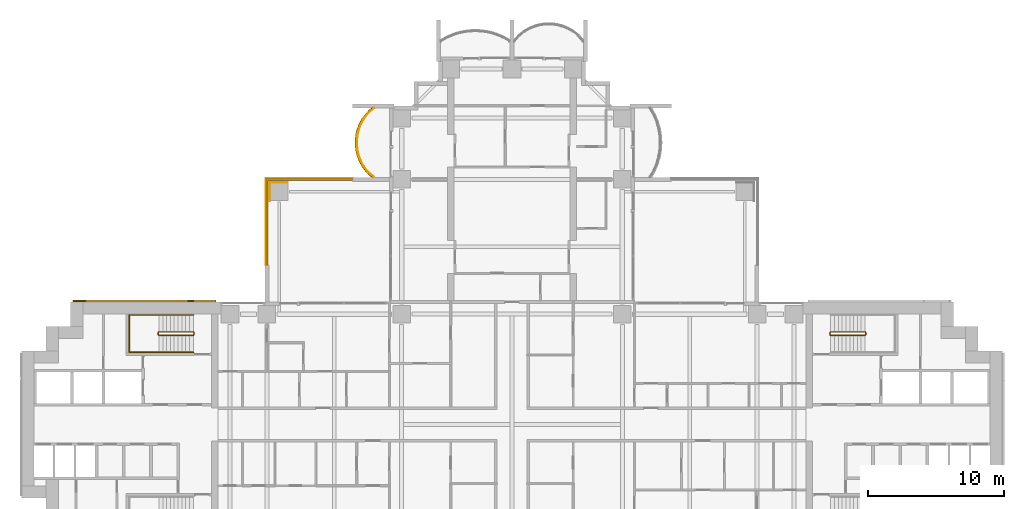
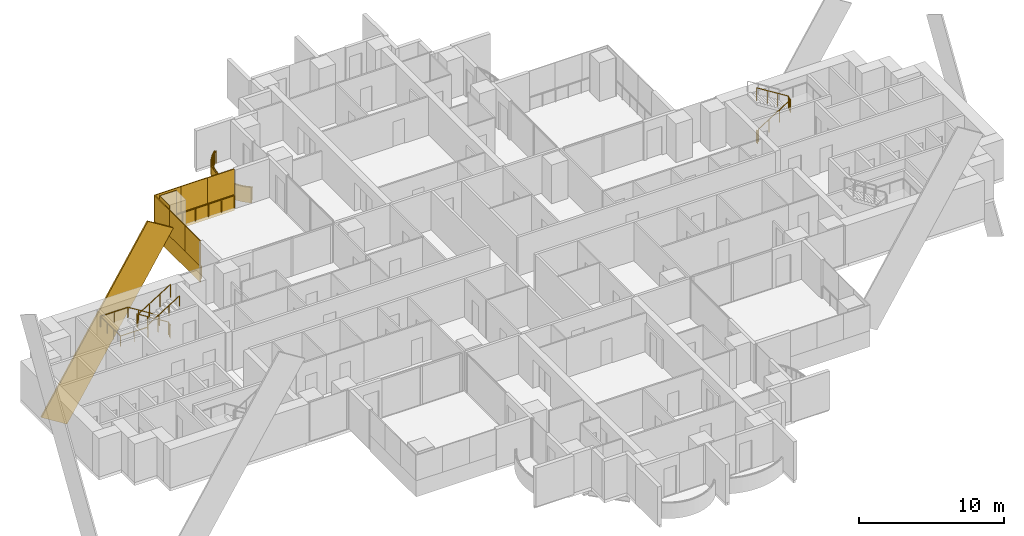
# One storey, part 21 of 23: 11 coverings, 5 railings.
"""IFC4 building model written with IfcOpenShell, lengths in metres."""

from ifc_helpers import new_model, si_unit, direction, frame, origin, origin_2d, place, context, subcontext, project, spatial, polyline, rectangle, outline, extrude, material, layer, layer_set, material_profile, profile_set, type_object, element, save


model = new_model("IFC4")

# Units and contexts
model_context = context("Model", 3, precision=1e-05, world=origin(), true_north=direction((0.0, 1.0)))
body_context = subcontext(model_context, "Body", "Model", "MODEL_VIEW")
ifc_project = project(units=[si_unit("LENGTHUNIT", "METRE"), si_unit("AREAUNIT", "SQUARE_METRE"), si_unit("VOLUMEUNIT", "CUBIC_METRE"), si_unit("PLANEANGLEUNIT", "RADIAN"), si_unit("MASSUNIT", "GRAM", prefix="KILO")], contexts=[model_context])

# Site, building, storey
site_placement = place(None, origin())
site = spatial("IfcSite", under=ifc_project, at=site_placement, CompositionType="ELEMENT")
building_placement = place(site_placement, origin())
building = spatial("IfcBuilding", under=site, at=building_placement, Name="Perihelion Cross Residences", CompositionType="ELEMENT")
storey_placement = place(building_placement, frame((0.0, 0.0, 36.5)))
storey = spatial("IfcBuildingStorey", under=building, at=storey_placement, Name="L05", CompositionType="ELEMENT", Elevation=36.5)

# Covering
ifc_material_1 = material(Name="Bronze anodised aluminium", Category="aluminium")
ifc_layer_1 = layer(ifc_material_1, 0.070068359375)
ifc_layer_set_1 = layer_set([ifc_layer_1], Name="Balcony fascia 1300")
covering_type_1 = type_object("IfcCoveringType", Name="Balcony fascia 1300", PredefinedType="CLADDING", material=ifc_layer_set_1)
covering_1_placement = place(storey_placement, frame((0.0, 0.0, -0.199951171875)))
element("IfcCovering", 1, at=covering_1_placement, inside=storey, type_object=covering_type_1, Name="Fascia BF1 L05 north side west bay 1", PredefinedType="CLADDING", context=body_context, shape_type="SweptSolid", body=[
    extrude(outline(polyline([(-10.674072265625, 22.90478515625), (-10.982666015625, 22.50390625), (-11.20654296875, 22.10302734375), (-11.364013671875, 21.7021484375), (-11.464599609375, 21.30126953125), (-11.513916015625, 20.900390625), (-11.513916015625, 20.49951171875), (-11.464599609375, 20.0986328125), (-11.364013671875, 19.69775390625), (-11.20654296875, 19.296875), (-10.982666015625, 18.89599609375), (-10.674072265625, 18.4951171875), (-10.302734375, 18.14990234375), (-10.199951171875, 18.14990234375), (-10.622314453125, 18.542236328125), (-10.924072265625, 18.9345703125), (-11.143310546875, 19.326904296875), (-11.29736328125, 19.71923828125), (-11.39599609375, 20.111572265625), (-11.444091796875, 20.50390625), (-11.444091796875, 20.896240234375), (-11.39599609375, 21.28857421875), (-11.29736328125, 21.6806640625), (-11.143310546875, 22.072998046875), (-10.924072265625, 22.46533203125), (-10.622314453125, 22.857666015625), (-10.199951171875, 23.25), (-10.302734375, 23.25), (-10.674072265625, 22.90478515625)])), origin(), (0.0, 0.0, 1.0), 1.300048828125),
])

# Railings
ifc_material_2 = material(Name="Bronze anodised aluminium", Category="aluminium")
railing_type_1 = type_object("IfcRailingType", Name="Balcony guard 1100", PredefinedType="GUARDRAIL", material=ifc_material_2)
railing_1_placement = place(storey_placement, frame((-10.139892578125, 23.22509765625, 0.0)))
element("IfcRailing", 2, at=railing_1_placement, inside=storey, type_object=railing_type_1, Name="Guard GU1 L05 north side west bay 1 balcony", PredefinedType="GUARDRAIL", context=body_context, shape_type="SweptSolid", body=[
    extrude(rectangle(XDim=0.048095703125, YDim=0.048095703125, at=origin_2d()), frame((0.0, 0.0, 1.076171875), z_axis=(-0.754464673757, -0.656340655493, 0.0), x_axis=(0.656340655493, -0.754464673757, 0.0)), (0.0, 0.0, 1.0), 0.559814453125),
    extrude(rectangle(XDim=0.048095703125, YDim=0.048095703125, at=origin_2d()), frame((-0.42236328125, -0.367431640625, 1.076171875), z_axis=(-0.60966308455, -0.792660660899, 0.0), x_axis=(0.792660660899, -0.60966308455, 0.0)), (0.0, 0.0, 1.0), 0.494873046875),
    extrude(rectangle(XDim=0.048095703125, YDim=0.048095703125, at=origin_2d()), frame((-0.72412109375, -0.759765625, 1.076171875), z_axis=(-0.487809182674, -0.872950285698, 0.0), x_axis=(0.872950285698, -0.487809182674, 0.0)), (0.0, 0.0, 1.0), 0.449462890625),
    extrude(rectangle(XDim=0.048095703125, YDim=0.048095703125, at=origin_2d()), frame((-0.943359375, -1.152099609375, 1.076171875), z_axis=(-0.365491079925, -0.930814842219, 0.0), x_axis=(0.930814842219, -0.365491079925, 0.0)), (0.0, 0.0, 1.0), 0.42138671875),
    extrude(rectangle(XDim=0.048095703125, YDim=0.048095703125, at=origin_2d()), frame((-1.097412109375, -1.54443359375, 1.076171875), z_axis=(-0.243956193074, -0.969786252666, 0.0), x_axis=(0.969786252666, -0.243956193074, 0.0)), (0.0, 0.0, 1.0), 0.404296875),
    extrude(rectangle(XDim=0.048095703125, YDim=0.048095703125, at=origin_2d()), frame((-1.196044921875, -1.9365234375, 1.076171875), z_axis=(-0.121677797999, -0.992569651699, 0.0), x_axis=(0.992569651699, -0.121677797999, 0.0)), (0.0, 0.0, 1.0), 0.395263671875),
    extrude(rectangle(XDim=0.048095703125, YDim=0.048095703125, at=origin_2d()), frame((-1.244140625, -2.328857421875, 1.076171875), z_axis=(0.0, -1.0, 0.0), x_axis=(1.0, 0.0, 0.0)), (0.0, 0.0, 1.0), 0.392333984375),
    extrude(rectangle(XDim=0.048095703125, YDim=0.048095703125, at=origin_2d()), frame((-1.244140625, -2.72119140625, 1.076171875), z_axis=(0.121677797999, -0.992569651699, 0.0), x_axis=(0.992569651699, 0.121677797999, 0.0)), (0.0, 0.0, 1.0), 0.395263671875),
    extrude(rectangle(XDim=0.048095703125, YDim=0.048095703125, at=origin_2d()), frame((-1.196044921875, -3.113525390625, 1.076171875), z_axis=(0.243813411509, -0.969822159145, 0.0), x_axis=(0.969822159145, 0.243813411509, 0.0)), (0.0, 0.0, 1.0), 0.404541015625),
    extrude(rectangle(XDim=0.048095703125, YDim=0.048095703125, at=origin_2d()), frame((-1.097412109375, -3.505859375, 1.076171875), z_axis=(0.365491079925, -0.930814842219, 0.0), x_axis=(0.930814842219, 0.365491079925, 0.0)), (0.0, 0.0, 1.0), 0.42138671875),
    extrude(rectangle(XDim=0.048095703125, YDim=0.048095703125, at=origin_2d()), frame((-0.943359375, -3.898193359375, 1.076171875), z_axis=(0.487809182674, -0.872950285698, 0.0), x_axis=(0.872950285698, 0.487809182674, 0.0)), (0.0, 0.0, 1.0), 0.449462890625),
    extrude(rectangle(XDim=0.048095703125, YDim=0.048095703125, at=origin_2d()), frame((-0.72412109375, -4.29052734375, 1.076171875), z_axis=(0.60966308455, -0.792660660899, 0.0), x_axis=(0.792660660899, 0.60966308455, 0.0)), (0.0, 0.0, 1.0), 0.494873046875),
    extrude(rectangle(XDim=0.048095703125, YDim=0.048095703125, at=origin_2d()), frame((-0.42236328125, -4.682861328125, 1.076171875), z_axis=(0.754680648599, -0.656092309534, 0.0), x_axis=(0.656092309534, 0.754680648599, 0.0)), (0.0, 0.0, 1.0), 0.5595703125),
    extrude(rectangle(XDim=0.0419921875, YDim=0.0419921875, at=origin_2d()), origin(), (0.0, 0.0, 1.0), 1.052001953125),
    extrude(rectangle(XDim=0.0419921875, YDim=0.0419921875, at=origin_2d()), frame((-0.42236328125, -0.367431640625, 0.0)), (0.0, 0.0, 1.0), 1.052001953125),
    extrude(rectangle(XDim=0.0419921875, YDim=0.0419921875, at=origin_2d()), frame((-0.72412109375, -0.759765625, 0.0)), (0.0, 0.0, 1.0), 1.052001953125),
    extrude(rectangle(XDim=0.0419921875, YDim=0.0419921875, at=origin_2d()), frame((-0.943359375, -1.152099609375, 0.0)), (0.0, 0.0, 1.0), 1.052001953125),
    extrude(rectangle(XDim=0.0419921875, YDim=0.0419921875, at=origin_2d()), frame((-1.097412109375, -1.54443359375, 0.0)), (0.0, 0.0, 1.0), 1.052001953125),
    extrude(rectangle(XDim=0.0419921875, YDim=0.0419921875, at=origin_2d()), frame((-1.196044921875, -1.9365234375, 0.0)), (0.0, 0.0, 1.0), 1.052001953125),
    extrude(rectangle(XDim=0.0419921875, YDim=0.0419921875, at=origin_2d()), frame((-1.244140625, -2.328857421875, 0.0)), (0.0, 0.0, 1.0), 1.052001953125),
    extrude(rectangle(XDim=0.0419921875, YDim=0.0419921875, at=origin_2d()), frame((-1.244140625, -2.72119140625, 0.0)), (0.0, 0.0, 1.0), 1.052001953125),
    extrude(rectangle(XDim=0.0419921875, YDim=0.0419921875, at=origin_2d()), frame((-1.196044921875, -3.113525390625, 0.0)), (0.0, 0.0, 1.0), 1.052001953125),
    extrude(rectangle(XDim=0.0419921875, YDim=0.0419921875, at=origin_2d()), frame((-1.097412109375, -3.505859375, 0.0)), (0.0, 0.0, 1.0), 1.052001953125),
    extrude(rectangle(XDim=0.0419921875, YDim=0.0419921875, at=origin_2d()), frame((-0.943359375, -3.898193359375, 0.0)), (0.0, 0.0, 1.0), 1.052001953125),
    extrude(rectangle(XDim=0.0419921875, YDim=0.0419921875, at=origin_2d()), frame((-0.72412109375, -4.29052734375, 0.0)), (0.0, 0.0, 1.0), 1.052001953125),
    extrude(rectangle(XDim=0.0419921875, YDim=0.0419921875, at=origin_2d()), frame((-0.42236328125, -4.682861328125, 0.0)), (0.0, 0.0, 1.0), 1.052001953125),
    extrude(rectangle(XDim=0.0419921875, YDim=0.0419921875, at=origin_2d()), frame((0.0, -5.050048828125, 0.0)), (0.0, 0.0, 1.0), 1.052001953125),
])
railing_2_placement = place(storey_placement, frame((-17.93994140625, 11.739990234375, 0.0)))
element("IfcRailing", 3, at=railing_2_placement, inside=storey, type_object=railing_type_1, Name="Guard GU1 L05 pocket north-west 1", PredefinedType="GUARDRAIL", context=body_context, shape_type="SweptSolid", body=[
    extrude(rectangle(XDim=0.048095703125, YDim=0.048095703125, at=origin_2d()), frame((0.0, 0.0, 1.076171875), z_axis=(0.0, 1.0, 0.0), x_axis=(-1.0, 0.0, 0.0)), (0.0, 0.0, 1.0), 6.199951171875),
    extrude(rectangle(XDim=0.048095703125, YDim=0.048095703125, at=origin_2d()), frame((0.0, 6.199951171875, 1.076171875), z_axis=(1.0, 0.0, 0.0), x_axis=(0.0, 1.0, 0.0)), (0.0, 0.0, 1.0), 6.199951171875),
    extrude(rectangle(XDim=0.0419921875, YDim=0.0419921875, at=origin_2d()), origin(), (0.0, 0.0, 1.0), 1.052001953125),
    extrude(rectangle(XDim=0.0419921875, YDim=0.0419921875, at=origin_2d()), frame((0.0, 1.033203125, 0.0)), (0.0, 0.0, 1.0), 1.052001953125),
    extrude(rectangle(XDim=0.0419921875, YDim=0.0419921875, at=origin_2d()), frame((0.0, 2.066650390625, 0.0)), (0.0, 0.0, 1.0), 1.052001953125),
    extrude(rectangle(XDim=0.0419921875, YDim=0.0419921875, at=origin_2d()), frame((0.0, 3.10009765625, 0.0)), (0.0, 0.0, 1.0), 1.052001953125),
    extrude(rectangle(XDim=0.0419921875, YDim=0.0419921875, at=origin_2d()), frame((0.0, 4.13330078125, 0.0)), (0.0, 0.0, 1.0), 1.052001953125),
    extrude(rectangle(XDim=0.0419921875, YDim=0.0419921875, at=origin_2d()), frame((0.0, 5.16650390625, 0.0)), (0.0, 0.0, 1.0), 1.052001953125),
    extrude(rectangle(XDim=0.0419921875, YDim=0.0419921875, at=origin_2d()), frame((0.0, 6.199951171875, 0.0)), (0.0, 0.0, 1.0), 1.052001953125),
    extrude(rectangle(XDim=0.0419921875, YDim=0.0419921875, at=origin_2d()), frame((1.033203125, 6.199951171875, 0.0)), (0.0, 0.0, 1.0), 1.052001953125),
    extrude(rectangle(XDim=0.0419921875, YDim=0.0419921875, at=origin_2d()), frame((2.066650390625, 6.199951171875, 0.0)), (0.0, 0.0, 1.0), 1.052001953125),
    extrude(rectangle(XDim=0.0419921875, YDim=0.0419921875, at=origin_2d()), frame((3.10009765625, 6.199951171875, 0.0)), (0.0, 0.0, 1.0), 1.052001953125),
    extrude(rectangle(XDim=0.0419921875, YDim=0.0419921875, at=origin_2d()), frame((4.13330078125, 6.199951171875, 0.0)), (0.0, 0.0, 1.0), 1.052001953125),
    extrude(rectangle(XDim=0.0419921875, YDim=0.0419921875, at=origin_2d()), frame((5.16650390625, 6.199951171875, 0.0)), (0.0, 0.0, 1.0), 1.052001953125),
    extrude(rectangle(XDim=0.0419921875, YDim=0.0419921875, at=origin_2d()), frame((6.199951171875, 6.199951171875, 0.0)), (0.0, 0.0, 1.0), 1.052001953125),
])

# Coverings
ifc_material_3 = material(Name="Bronze anodised aluminium", Category="aluminium")
ifc_material_profile = material_profile(ifc_material_3, rectangle(XDim=0.125, YDim=2.39990234375, at=origin_2d()), Name="Bronze cladding band 2400")
ifc_profile_set = profile_set([ifc_material_profile], Name="Bronze anodised aluminium")
covering_type_2 = type_object("IfcCoveringType", Name="Bronze cladding band 2400", PredefinedType="CLADDING", material=ifc_profile_set)
covering_2_placement = place(storey_placement, frame((-31.232421875, 9.0625, -5.656005859375), z_axis=(0.529931619435, 0.0, 0.848040375644), x_axis=(0.0, 1.0, 0.0)))
element("IfcCovering", 4, at=covering_2_placement, inside=storey, type_object=covering_type_2, Name="Core cladding band, west core", PredefinedType="CLADDING", context=body_context, shape_type="SweptSolid", body=[
    extrude(rectangle(XDim=0.125, YDim=2.39990234375, at=origin_2d()), origin(), (0.0, 0.0, 1.0), 15.973388671875),
])
ifc_material_4 = material(Name="Bronze anodised aluminium", Category="aluminium")
ifc_layer_2 = layer(ifc_material_4, 0.0400390625)
ifc_layer_set_2 = layer_set([ifc_layer_2], Name="Bronze column casing 40")
covering_type_3 = type_object("IfcCoveringType", Name="Bronze column casing 40", PredefinedType="CLADDING", material=ifc_layer_set_2)
covering_3_placement = place(storey_placement, frame((-17.77001953125, 17.10009765625, -0.25), z_axis=(0.0, 0.0, 1.0), x_axis=(1.0, 0.0, 0.0)))
element("IfcCovering", 5, at=covering_3_placement, inside=storey, type_object=covering_type_3, Name="Cladding CC1 L05 casing east-west no. 2", PredefinedType="CLADDING", context=body_context, shape_type="SweptSolid", body=[
    extrude(rectangle(XDim=0.0400390625, YDim=1.3798828125, at=origin_2d()), origin(), (0.0, 0.0, 1.0), 3.5),
])
covering_4_placement = place(storey_placement, frame((-17.10009765625, 17.77001953125, -0.25), z_axis=(0.0, 0.0, 1.0), x_axis=(1.0, 0.0, 0.0)))
element("IfcCovering", 6, at=covering_4_placement, inside=storey, type_object=covering_type_3, Name="Cladding CC1 L05 casing north-south no. 2", PredefinedType="CLADDING", context=body_context, shape_type="SweptSolid", body=[
    extrude(rectangle(XDim=1.300048828125, YDim=0.0400390625, at=origin_2d()), origin(), (0.0, 0.0, 1.0), 3.5),
])
ifc_material_5 = material(Name="Bronze anodised aluminium", Category="aluminium")
ifc_layer_3 = layer(ifc_material_5, 0.070068359375)
ifc_layer_set_3 = layer_set([ifc_layer_3], Name="Pocket fascia 1350")
covering_type_4 = type_object("IfcCoveringType", Name="Pocket fascia 1350", PredefinedType="CLADDING", material=ifc_layer_set_3)
covering_5_placement = place(storey_placement, frame((0.0, 0.0, -0.25)))
element("IfcCovering", 7, at=covering_5_placement, inside=storey, type_object=covering_type_4, Name="Fascia BF2 L05 pocket north-west 3", PredefinedType="CLADDING", context=body_context, shape_type="SweptSolid", body=[
    extrude(outline(polyline([(-18.070068359375, 18.070068359375), (-18.070068359375, 11.699951171875), (-18.0, 11.699951171875), (-18.0, 18.0), (-11.699951171875, 18.0), (-11.699951171875, 18.070068359375), (-18.070068359375, 18.070068359375)])), origin(), (0.0, 0.0, 1.0), 1.35009765625),
])
ifc_material_6 = material(Name="Bronze perforated aluminium", Category="aluminium")
ifc_layer_4 = layer(ifc_material_6, 0.070068359375)
ifc_layer_set_4 = layer_set([ifc_layer_4], Name="Pocket solar screen, bronze perforated")
covering_type_5 = type_object("IfcCoveringType", Name="Pocket solar screen, bronze perforated", PredefinedType="CLADDING", material=ifc_layer_set_4)
covering_6_placement = place(storey_placement, frame((0.0, 0.0, 1.10009765625)))
element("IfcCovering", 8, at=covering_6_placement, inside=storey, type_object=covering_type_5, Name="Solar screen PS1 L05 pocket north-west no. 1", PredefinedType="CLADDING", context=body_context, shape_type="SweptSolid", body=[
    extrude(outline(polyline([(-18.0, 11.699951171875), (-18.0, 13.800048828125), (-18.070068359375, 13.800048828125), (-18.070068359375, 11.699951171875), (-18.0, 11.699951171875)])), origin(), (0.0, 0.0, 1.0), 2.14990234375),
])
covering_7_placement = place(storey_placement, frame((0.0, 0.0, 1.10009765625)))
element("IfcCovering", 9, at=covering_7_placement, inside=storey, type_object=covering_type_5, Name="Solar screen PS1 L05 pocket north-west no. 2", PredefinedType="CLADDING", context=body_context, shape_type="SweptSolid", body=[
    extrude(outline(polyline([(-18.0, 13.800048828125), (-18.0, 15.89990234375), (-18.070068359375, 15.89990234375), (-18.070068359375, 13.800048828125), (-18.0, 13.800048828125)])), origin(), (0.0, 0.0, 1.0), 2.14990234375),
])
covering_8_placement = place(storey_placement, frame((0.0, 0.0, 1.10009765625)))
element("IfcCovering", 10, at=covering_8_placement, inside=storey, type_object=covering_type_5, Name="Solar screen PS1 L05 pocket north-west no. 3", PredefinedType="CLADDING", context=body_context, shape_type="SweptSolid", body=[
    extrude(outline(polyline([(-18.0, 15.89990234375), (-18.0, 18.0), (-18.070068359375, 18.0), (-18.070068359375, 15.89990234375), (-18.0, 15.89990234375)])), origin(), (0.0, 0.0, 1.0), 2.14990234375),
])
covering_9_placement = place(storey_placement, frame((0.0, 0.0, 1.10009765625)))
element("IfcCovering", 11, at=covering_9_placement, inside=storey, type_object=covering_type_5, Name="Solar screen PS1 L05 pocket north-west no. 4", PredefinedType="CLADDING", context=body_context, shape_type="SweptSolid", body=[
    extrude(outline(polyline([(-15.94677734375, 18.0), (-15.94677734375, 18.070068359375), (-18.070068359375, 18.070068359375), (-18.070068359375, 18.0), (-15.94677734375, 18.0)])), origin(), (0.0, 0.0, 1.0), 2.14990234375),
])
covering_10_placement = place(storey_placement, frame((0.0, 0.0, 1.10009765625)))
element("IfcCovering", 12, at=covering_10_placement, inside=storey, type_object=covering_type_5, Name="Solar screen PS1 L05 pocket north-west no. 5", PredefinedType="CLADDING", context=body_context, shape_type="SweptSolid", body=[
    extrude(outline(polyline([(-13.8232421875, 18.0), (-13.8232421875, 18.070068359375), (-15.94677734375, 18.070068359375), (-15.94677734375, 18.0), (-13.8232421875, 18.0)])), origin(), (0.0, 0.0, 1.0), 2.14990234375),
])
covering_11_placement = place(storey_placement, frame((0.0, 0.0, 1.10009765625)))
element("IfcCovering", 13, at=covering_11_placement, inside=storey, type_object=covering_type_5, Name="Solar screen PS1 L05 pocket north-west no. 6", PredefinedType="CLADDING", context=body_context, shape_type="SweptSolid", body=[
    extrude(outline(polyline([(-11.699951171875, 18.0), (-11.699951171875, 18.070068359375), (-13.8232421875, 18.070068359375), (-13.8232421875, 18.0), (-11.699951171875, 18.0)])), origin(), (0.0, 0.0, 1.0), 2.14990234375),
])

# Railings
ifc_material_7 = material(Name="Stainless steel", Category="steel")
railing_type_2 = type_object("IfcRailingType", Name="Stair guard 1100", PredefinedType="GUARDRAIL", material=ifc_material_7)
railing_3_placement = place(storey_placement, frame((23.35009765625, 6.75, 0.0)))
element("IfcRailing", 14, at=railing_3_placement, inside=storey, type_object=railing_type_2, Name="L05 ST-E1 stair guard 1", PredefinedType="GUARDRAIL", context=body_context, shape_type="SweptSolid", body=[
    extrude(rectangle(XDim=0.048095703125, YDim=0.048095703125, at=origin_2d()), frame((0.0, 0.0, 1.076171875), z_axis=(0.0, -1.0, 0.0), x_axis=(1.0, 0.0, 0.0)), (0.0, 0.0, 1.0), 0.14990234375),
    extrude(rectangle(XDim=0.048095703125, YDim=0.048095703125, at=origin_2d()), frame((0.0, -0.14990234375, 1.076171875), z_axis=(0.263862480399, -0.265155923931, 0.927399011991), x_axis=(0.708833529934, 0.705375805398, 0.0)), (0.0, 0.0, 1.0), 0.188720703125),
    extrude(rectangle(XDim=0.048095703125, YDim=0.048095703125, at=origin_2d()), frame((0.0498046875, -0.199951171875, 1.2509765625), z_axis=(0.848007534815, 0.0, 0.529984170421), x_axis=(0.0, 1.0, 0.0)), (0.0, 0.0, 1.0), 2.9716796875),
    extrude(rectangle(XDim=0.048095703125, YDim=0.048095703125, at=origin_2d()), frame((2.56982421875, -0.199951171875, 2.826171875), z_axis=(0.707106781187, 0.707106781187, 0.0), x_axis=(-0.707106781187, 0.707106781187, 0.0)), (0.0, 0.0, 1.0), 0.07080078125),
    extrude(rectangle(XDim=0.048095703125, YDim=0.048095703125, at=origin_2d()), frame((2.619873046875, -0.14990234375, 2.826171875), z_axis=(0.0, 1.0, 0.0), x_axis=(-1.0, 0.0, 0.0)), (0.0, 0.0, 1.0), 0.14990234375),
    extrude(rectangle(XDim=0.048095703125, YDim=0.048095703125, at=origin_2d()), frame((2.619873046875, 0.0, 2.826171875), z_axis=(-0.265065253269, 0.265065253269, 0.927081885822), x_axis=(-0.707106781187, -0.707106781187, 0.0)), (0.0, 0.0, 1.0), 0.188720703125),
    extrude(rectangle(XDim=0.048095703125, YDim=0.048095703125, at=origin_2d()), frame((2.56982421875, 0.050048828125, 3.0009765625), z_axis=(-0.848007534815, 0.0, 0.529984170421), x_axis=(0.0, -1.0, 0.0)), (0.0, 0.0, 1.0), 2.9716796875),
    extrude(rectangle(XDim=0.0419921875, YDim=0.0419921875, at=origin_2d()), origin(), (0.0, 0.0, 1.0), 1.052001953125),
    extrude(rectangle(XDim=0.0419921875, YDim=0.0419921875, at=origin_2d()), frame((0.0, -0.14990234375, 0.0)), (0.0, 0.0, 1.0), 1.052001953125),
    extrude(rectangle(XDim=0.0419921875, YDim=0.0419921875, at=origin_2d()), frame((0.0498046875, -0.199951171875, 0.175048828125)), (0.0, 0.0, 1.0), 1.052001953125),
    extrude(rectangle(XDim=0.0419921875, YDim=0.0419921875, at=origin_2d()), frame((0.889892578125, -0.199951171875, 0.699951171875)), (0.0, 0.0, 1.0), 1.052001953125),
    extrude(rectangle(XDim=0.0419921875, YDim=0.0419921875, at=origin_2d()), frame((1.729736328125, -0.199951171875, 1.22509765625)), (0.0, 0.0, 1.0), 1.052001953125),
    extrude(rectangle(XDim=0.0419921875, YDim=0.0419921875, at=origin_2d()), frame((2.56982421875, -0.199951171875, 1.75)), (0.0, 0.0, 1.0), 1.052001953125),
    extrude(rectangle(XDim=0.0419921875, YDim=0.0419921875, at=origin_2d()), frame((2.619873046875, -0.14990234375, 1.75)), (0.0, 0.0, 1.0), 1.052001953125),
    extrude(rectangle(XDim=0.0419921875, YDim=0.0419921875, at=origin_2d()), frame((2.619873046875, 0.0, 1.75)), (0.0, 0.0, 1.0), 1.052001953125),
    extrude(rectangle(XDim=0.0419921875, YDim=0.0419921875, at=origin_2d()), frame((2.56982421875, 0.050048828125, 1.925048828125)), (0.0, 0.0, 1.0), 1.052001953125),
    extrude(rectangle(XDim=0.0419921875, YDim=0.0419921875, at=origin_2d()), frame((1.729736328125, 0.050048828125, 2.449951171875)), (0.0, 0.0, 1.0), 1.052001953125),
    extrude(rectangle(XDim=0.0419921875, YDim=0.0419921875, at=origin_2d()), frame((0.889892578125, 0.050048828125, 2.97509765625)), (0.0, 0.0, 1.0), 1.052001953125),
    extrude(rectangle(XDim=0.0419921875, YDim=0.0419921875, at=origin_2d()), frame((0.0498046875, 0.050048828125, 3.5)), (0.0, 0.0, 1.0), 1.052001953125),
])
railing_4_placement = place(storey_placement, frame((-23.35009765625, 6.60009765625, 0.0)))
element("IfcRailing", 15, at=railing_4_placement, inside=storey, type_object=railing_type_2, Name="L05 ST-W1 stair guard 1", PredefinedType="GUARDRAIL", context=body_context, shape_type="SweptSolid", body=[
    extrude(rectangle(XDim=0.048095703125, YDim=0.048095703125, at=origin_2d()), frame((0.0, 0.0, 1.076171875), z_axis=(0.0, 1.0, 0.0), x_axis=(-1.0, 0.0, 0.0)), (0.0, 0.0, 1.0), 0.14990234375),
    extrude(rectangle(XDim=0.048095703125, YDim=0.048095703125, at=origin_2d()), frame((0.0, 0.14990234375, 1.076171875), z_axis=(-0.263862480399, 0.265155923931, 0.927399011991), x_axis=(-0.708833529934, -0.705375805398, 0.0)), (0.0, 0.0, 1.0), 0.188720703125),
    extrude(rectangle(XDim=0.048095703125, YDim=0.048095703125, at=origin_2d()), frame((-0.0498046875, 0.199951171875, 1.2509765625), z_axis=(-0.848007534815, 0.0, 0.529984170421), x_axis=(0.0, -1.0, 0.0)), (0.0, 0.0, 1.0), 2.9716796875),
    extrude(rectangle(XDim=0.048095703125, YDim=0.048095703125, at=origin_2d()), frame((-2.56982421875, 0.199951171875, 2.826171875), z_axis=(-0.707106781187, -0.707106781187, 0.0), x_axis=(0.707106781187, -0.707106781187, 0.0)), (0.0, 0.0, 1.0), 0.07080078125),
    extrude(rectangle(XDim=0.048095703125, YDim=0.048095703125, at=origin_2d()), frame((-2.619873046875, 0.14990234375, 2.826171875), z_axis=(0.0, -1.0, 0.0), x_axis=(1.0, 0.0, 0.0)), (0.0, 0.0, 1.0), 0.14990234375),
    extrude(rectangle(XDim=0.048095703125, YDim=0.048095703125, at=origin_2d()), frame((-2.619873046875, 0.0, 2.826171875), z_axis=(0.265065253269, -0.265065253269, 0.927081885822), x_axis=(0.707106781187, 0.707106781187, 0.0)), (0.0, 0.0, 1.0), 0.188720703125),
    extrude(rectangle(XDim=0.048095703125, YDim=0.048095703125, at=origin_2d()), frame((-2.56982421875, -0.050048828125, 3.0009765625), z_axis=(0.848007534815, 0.0, 0.529984170421), x_axis=(0.0, 1.0, 0.0)), (0.0, 0.0, 1.0), 2.9716796875),
    extrude(rectangle(XDim=0.0419921875, YDim=0.0419921875, at=origin_2d()), origin(), (0.0, 0.0, 1.0), 1.052001953125),
    extrude(rectangle(XDim=0.0419921875, YDim=0.0419921875, at=origin_2d()), frame((0.0, 0.14990234375, 0.0)), (0.0, 0.0, 1.0), 1.052001953125),
    extrude(rectangle(XDim=0.0419921875, YDim=0.0419921875, at=origin_2d()), frame((-0.0498046875, 0.199951171875, 0.175048828125)), (0.0, 0.0, 1.0), 1.052001953125),
    extrude(rectangle(XDim=0.0419921875, YDim=0.0419921875, at=origin_2d()), frame((-0.889892578125, 0.199951171875, 0.699951171875)), (0.0, 0.0, 1.0), 1.052001953125),
    extrude(rectangle(XDim=0.0419921875, YDim=0.0419921875, at=origin_2d()), frame((-1.729736328125, 0.199951171875, 1.22509765625)), (0.0, 0.0, 1.0), 1.052001953125),
    extrude(rectangle(XDim=0.0419921875, YDim=0.0419921875, at=origin_2d()), frame((-2.56982421875, 0.199951171875, 1.75)), (0.0, 0.0, 1.0), 1.052001953125),
    extrude(rectangle(XDim=0.0419921875, YDim=0.0419921875, at=origin_2d()), frame((-2.619873046875, 0.14990234375, 1.75)), (0.0, 0.0, 1.0), 1.052001953125),
    extrude(rectangle(XDim=0.0419921875, YDim=0.0419921875, at=origin_2d()), frame((-2.619873046875, 0.0, 1.75)), (0.0, 0.0, 1.0), 1.052001953125),
    extrude(rectangle(XDim=0.0419921875, YDim=0.0419921875, at=origin_2d()), frame((-2.56982421875, -0.050048828125, 1.925048828125)), (0.0, 0.0, 1.0), 1.052001953125),
    extrude(rectangle(XDim=0.0419921875, YDim=0.0419921875, at=origin_2d()), frame((-1.729736328125, -0.050048828125, 2.449951171875)), (0.0, 0.0, 1.0), 1.052001953125),
    extrude(rectangle(XDim=0.0419921875, YDim=0.0419921875, at=origin_2d()), frame((-0.889892578125, -0.050048828125, 2.97509765625)), (0.0, 0.0, 1.0), 1.052001953125),
    extrude(rectangle(XDim=0.0419921875, YDim=0.0419921875, at=origin_2d()), frame((-0.0498046875, -0.050048828125, 3.5)), (0.0, 0.0, 1.0), 1.052001953125),
])
ifc_material_8 = material(Name="Stainless steel", Category="steel")
railing_type_3 = type_object("IfcRailingType", Name="Stair handrail 900", PredefinedType="HANDRAIL", material=ifc_material_8)
railing_5_placement = place(storey_placement, frame((-23.39990234375, 8.050048828125, 0.175048828125)))
element("IfcRailing", 16, at=railing_5_placement, inside=storey, type_object=railing_type_3, Name="L05 ST-W1 stair handrail 1", PredefinedType="HANDRAIL", context=body_context, shape_type="SweptSolid", body=[
    extrude(rectangle(XDim=0.048095703125, YDim=0.048095703125, at=origin_2d()), frame((0.0, 0.0, 0.8759765625), z_axis=(-0.848007534815, 0.0, 0.529984170421), x_axis=(0.0, -1.0, 0.0)), (0.0, 0.0, 1.0), 2.9716796875),
    extrude(rectangle(XDim=0.048095703125, YDim=0.048095703125, at=origin_2d()), frame((-2.52001953125, 0.0, 2.45068359375), z_axis=(-1.0, 0.0, 0.0), x_axis=(0.0, -1.0, 0.0)), (0.0, 0.0, 1.0), 2.18017578125),
    extrude(rectangle(XDim=0.048095703125, YDim=0.048095703125, at=origin_2d()), frame((-4.7001953125, 0.0, 2.45068359375), z_axis=(0.0, -1.0, 0.0), x_axis=(1.0, 0.0, 0.0)), (0.0, 0.0, 1.0), 2.75),
    extrude(rectangle(XDim=0.048095703125, YDim=0.048095703125, at=origin_2d()), frame((-4.7001953125, -2.75, 2.45068359375), z_axis=(1.0, 0.0, 0.0), x_axis=(0.0, 1.0, 0.0)), (0.0, 0.0, 1.0), 2.18017578125),
    extrude(rectangle(XDim=0.048095703125, YDim=0.048095703125, at=origin_2d()), frame((-2.52001953125, -2.75, 2.45068359375), z_axis=(0.0, 0.0, 1.0), x_axis=(1.0, 0.0, 0.0)), (0.0, 0.0, 1.0), 0.175048828125),
    extrude(rectangle(XDim=0.048095703125, YDim=0.048095703125, at=origin_2d()), frame((-2.52001953125, -2.75, 2.6259765625), z_axis=(0.848007534815, 0.0, 0.529984170421), x_axis=(0.0, 1.0, 0.0)), (0.0, 0.0, 1.0), 2.9716796875),
    extrude(rectangle(XDim=0.0419921875, YDim=0.0419921875, at=origin_2d()), origin(), (0.0, 0.0, 1.0), 0.851806640625),
    extrude(rectangle(XDim=0.0419921875, YDim=0.0419921875, at=origin_2d()), frame((-0.840087890625, 0.0, 0.52490234375)), (0.0, 0.0, 1.0), 0.851806640625),
    extrude(rectangle(XDim=0.0419921875, YDim=0.0419921875, at=origin_2d()), frame((-1.679931640625, 0.0, 1.050048828125)), (0.0, 0.0, 1.0), 0.851806640625),
    extrude(rectangle(XDim=0.0419921875, YDim=0.0419921875, at=origin_2d()), frame((-2.52001953125, 0.0, 1.574951171875)), (0.0, 0.0, 1.0), 0.851806640625),
    extrude(rectangle(XDim=0.0419921875, YDim=0.0419921875, at=origin_2d()), frame((-3.610107421875, 0.0, 1.574951171875)), (0.0, 0.0, 1.0), 0.851806640625),
    extrude(rectangle(XDim=0.0419921875, YDim=0.0419921875, at=origin_2d()), frame((-4.7001953125, 0.0, 1.574951171875)), (0.0, 0.0, 1.0), 0.851806640625),
    extrude(rectangle(XDim=0.0419921875, YDim=0.0419921875, at=origin_2d()), frame((-4.7001953125, -0.916748046875, 1.574951171875)), (0.0, 0.0, 1.0), 0.851806640625),
    extrude(rectangle(XDim=0.0419921875, YDim=0.0419921875, at=origin_2d()), frame((-4.7001953125, -1.833251953125, 1.574951171875)), (0.0, 0.0, 1.0), 0.851806640625),
    extrude(rectangle(XDim=0.0419921875, YDim=0.0419921875, at=origin_2d()), frame((-4.7001953125, -2.75, 1.574951171875)), (0.0, 0.0, 1.0), 0.851806640625),
    extrude(rectangle(XDim=0.0419921875, YDim=0.0419921875, at=origin_2d()), frame((-3.610107421875, -2.75, 1.574951171875)), (0.0, 0.0, 1.0), 0.851806640625),
    extrude(rectangle(XDim=0.0419921875, YDim=0.0419921875, at=origin_2d()), frame((-2.52001953125, -2.75, 1.574951171875)), (0.0, 0.0, 1.0), 0.851806640625),
    extrude(rectangle(XDim=0.0419921875, YDim=0.0419921875, at=origin_2d()), frame((-2.52001953125, -2.75, 1.75)), (0.0, 0.0, 1.0), 0.851806640625),
    extrude(rectangle(XDim=0.0419921875, YDim=0.0419921875, at=origin_2d()), frame((-1.679931640625, -2.75, 2.27490234375)), (0.0, 0.0, 1.0), 0.851806640625),
    extrude(rectangle(XDim=0.0419921875, YDim=0.0419921875, at=origin_2d()), frame((-0.840087890625, -2.75, 2.800048828125)), (0.0, 0.0, 1.0), 0.851806640625),
    extrude(rectangle(XDim=0.0419921875, YDim=0.0419921875, at=origin_2d()), frame((0.0, -2.75, 3.324951171875)), (0.0, 0.0, 1.0), 0.851806640625),
])

save(model, "model.ifc")
